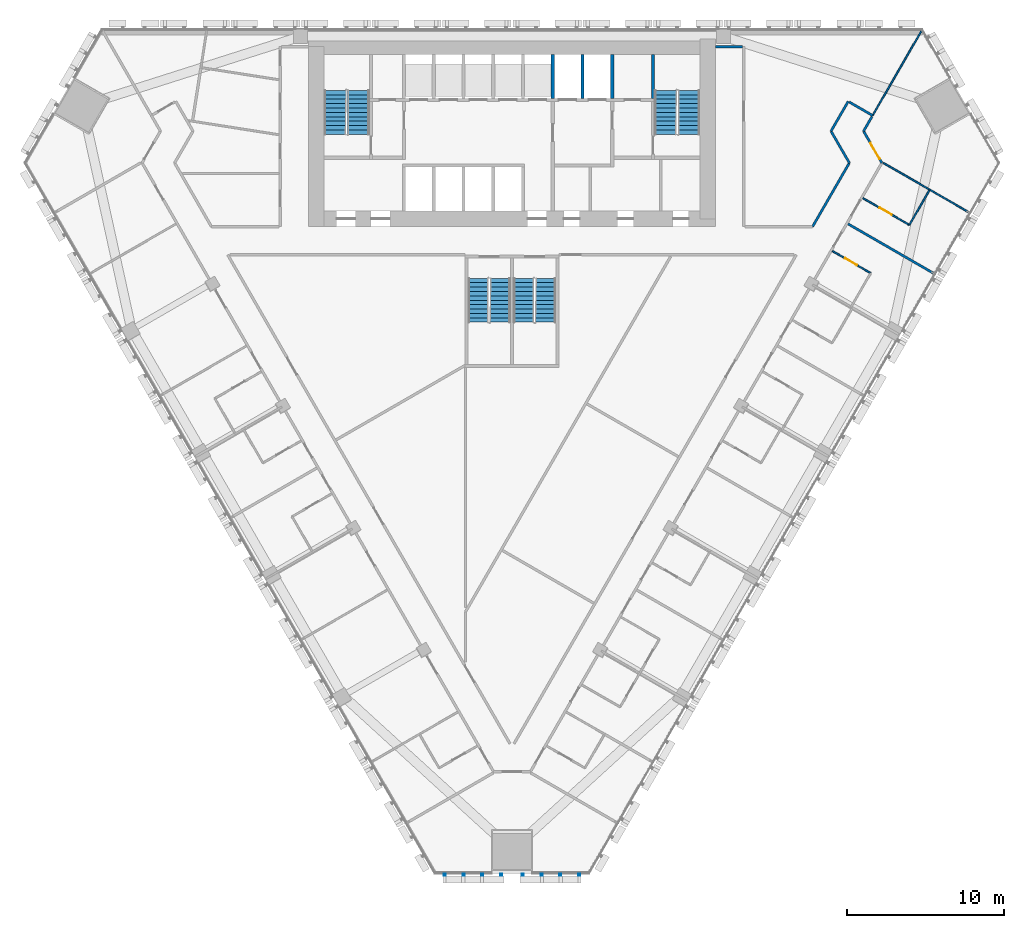
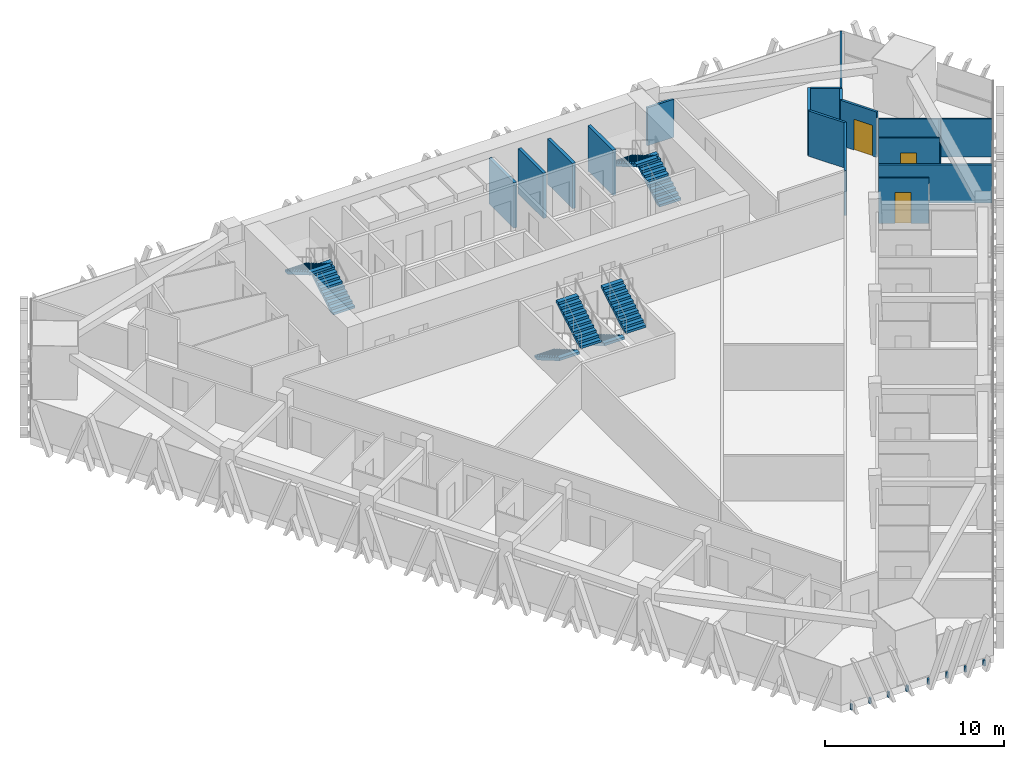
# One storey, part 14 of 18: 17 walls, 8 stair flights, 3 doors, 1 discrete accessory, 3 openings, 4 elements without a shape of their own.
"""IFC4 building model written with IfcOpenShell, lengths in metres."""

from ifc_helpers import new_model, si_unit, direction, frame, frame_2d, origin, place, context, subcontext, project, spatial, polyline, rectangle, outline, extrude, source, transform, mapped, material, layer, layer_set, type_object, element, fill, aggregate, save


model = new_model("IFC4")

# Units and contexts
model_context = context("Model", 3, precision=1e-05, world=origin(), true_north=direction((0.0, 1.0)))
body_context = subcontext(model_context, "Body", "Model", "MODEL_VIEW")
ifc_project = project(units=[si_unit("LENGTHUNIT", "METRE"), si_unit("AREAUNIT", "SQUARE_METRE"), si_unit("VOLUMEUNIT", "CUBIC_METRE"), si_unit("PLANEANGLEUNIT", "RADIAN"), si_unit("MASSUNIT", "GRAM", prefix="KILO")], contexts=[model_context])

# Site, building, storey
site_placement = place(None, origin())
site = spatial("IfcSite", under=ifc_project, at=site_placement, CompositionType="ELEMENT")
building_placement = place(site_placement, origin())
building = spatial("IfcBuilding", under=site, at=building_placement, Name="Altiplano Prism Tower", CompositionType="ELEMENT")
storey_placement = place(building_placement, frame((0.0, 0.0, 34.199951171875)))
storey = spatial("IfcBuildingStorey", under=building, at=storey_placement, Name="L07", CompositionType="ELEMENT", Elevation=34.199951171875)

# Wall, opening, door
ifc_material_1 = material(Name="Plasterboard on steel stud", Category="steel")
ifc_layer_1 = layer(ifc_material_1, 0.10009765625)
ifc_layer_set_1 = layer_set([ifc_layer_1], Name="Plasterboard on steel stud")
wall_type_1 = type_object("IfcWallType", Name="Partition 100 unit", PredefinedType="PARTITIONING", material=ifc_layer_set_1)
wall_1_placement = place(storey_placement, frame((105.46240234375, 90.845947265625, 0.0), z_axis=(0.0, 0.0, 1.0), x_axis=(0.866048868473, -0.499959355765, 0.0)))
wall_1 = element("IfcWall", 1, at=wall_1_placement, inside=storey, type_object=wall_type_1, Name="Partition P02 L07 081", PredefinedType="PARTITIONING", context=body_context, shape_type="SweptSolid", body=[
    extrude(rectangle(XDim=2.824951171875, YDim=0.10009765625, at=frame_2d((1.41259765625, 0.0))), origin(), (0.0, 0.0, 1.0), 3.10009765625),
])
opening_1_placement = place(wall_1_placement, frame((0.925048828125, 0.0, 0.0)))
opening_1 = element("IfcOpeningElement", 2, at=opening_1_placement, cuts=wall_1, Name="Opening D0262", PredefinedType="OPENING", context=body_context, shape_type="SweptSolid", body=[
    extrude(rectangle(XDim=0.89990234375, YDim=2.10009765625, at=frame_2d((0.449951171875, 1.050048828125))), frame((0.0, 0.060546875, 0.0), z_axis=(0.0, -1.0, 0.0), x_axis=(1.0, 0.0, 0.0)), (0.0, 0.0, 1.0), 0.12109375),
])
ifc_material_2 = material(Name="Timber", Category="wood")
door_type_1 = type_object("IfcDoorType", Name="Ensuite door 900 x 2100", OperationType="NOTDEFINED", PredefinedType="NOTDEFINED", material=ifc_material_2)
door_1_placement = place(opening_1_placement, origin())
door_1 = element("IfcDoor", 3, at=door_1_placement, inside=storey, type_object=door_type_1, Name="Door D0262", OperationType="SINGLE_SWING_LEFT", OverallHeight=2.10009765625, OverallWidth=0.89990234375, PredefinedType="NOTDEFINED", context=body_context, shape_type="SweptSolid", body=[
    extrude(rectangle(XDim=0.89990234375, YDim=2.10009765625, at=frame_2d((0.449951171875, 1.050048828125))), frame((0.0, 0.02490234375, 0.0), z_axis=(0.0, -1.0, 0.0), x_axis=(1.0, 0.0, 0.0)), (0.0, 0.0, 1.0), 0.050048828125),
])
fill(opening_1, door_1)

# Wall
wall_2_placement = place(storey_placement, frame((111.653564453125, 94.719482421875, 0.0), z_axis=(0.0, 0.0, 1.0), x_axis=(-0.500020783669, -0.866013403995, 0.0)))
element("IfcWall", 4, at=wall_2_placement, inside=storey, type_object=wall_type_1, Name="Partition P02 L07 084", PredefinedType="PARTITIONING", context=body_context, shape_type="SweptSolid", body=[
    extrude(rectangle(XDim=2.55029296875, YDim=0.10009765625, at=frame_2d((1.275146484375, 0.0))), origin(), (0.0, 0.0, 1.0), 2.60009765625),
])

# Wall, opening, door
wall_3_placement = place(storey_placement, frame((110.37841796875, 92.510986328125, 0.0), z_axis=(0.0, 0.0, 1.0), x_axis=(-0.866032454348, 0.499987787867, 0.0)))
wall_3 = element("IfcWall", 5, at=wall_3_placement, inside=storey, type_object=wall_type_1, Name="Partition P02 L07 085", PredefinedType="PARTITIONING", context=body_context, shape_type="SweptSolid", body=[
    extrude(rectangle(XDim=3.4248046875, YDim=0.10009765625, at=frame_2d((1.71240234375, 0.0))), origin(), (0.0, 0.0, 1.0), 3.10009765625),
])
opening_2_placement = place(wall_3_placement, frame((1.300048828125, 0.0, 0.0)))
opening_2 = element("IfcOpeningElement", 6, at=opening_2_placement, cuts=wall_3, Name="Opening D0264", PredefinedType="OPENING", context=body_context, shape_type="SweptSolid", body=[
    extrude(rectangle(XDim=0.89990234375, YDim=2.10009765625, at=frame_2d((0.449951171875, 1.050048828125))), frame((0.0, 0.060546875, 0.0), z_axis=(0.0, -1.0, 0.0), x_axis=(1.0, 0.0, 0.0)), (0.0, 0.0, 1.0), 0.12109375),
])
door_type_2 = type_object("IfcDoorType", Name="Accessible ensuite door 900 x 2100", OperationType="NOTDEFINED", PredefinedType="NOTDEFINED", material=ifc_material_2)
door_2_placement = place(opening_2_placement, origin())
door_2 = element("IfcDoor", 7, at=door_2_placement, inside=storey, type_object=door_type_2, Name="Door D0264", OperationType="SINGLE_SWING_LEFT", OverallHeight=2.10009765625, OverallWidth=0.89990234375, PredefinedType="NOTDEFINED", context=body_context, shape_type="SweptSolid", body=[
    extrude(rectangle(XDim=0.89990234375, YDim=2.10009765625, at=frame_2d((0.449951171875, 1.050048828125))), frame((0.0, 0.02490234375, 0.0), z_axis=(0.0, -1.0, 0.0), x_axis=(1.0, 0.0, 0.0)), (0.0, 0.0, 1.0), 0.050048828125),
])
fill(opening_2, door_2)

# Walls
ifc_layer_2 = layer(ifc_material_1, 0.10009765625)
ifc_layer_set_2 = layer_set([ifc_layer_2], Name="Plasterboard on steel stud")
wall_type_2 = type_object("IfcWallType", Name="Partition 100 wet", PredefinedType="PARTITIONING", material=ifc_layer_set_2)
wall_4_placement = place(storey_placement, frame((114.20751953125, 93.302490234375, 0.0), z_axis=(0.0, 0.0, 1.0), x_axis=(-0.866014393704, 0.500019069534, 0.0)))
element("IfcWall", 8, at=wall_4_placement, inside=storey, type_object=wall_type_2, Name="Partition P03 L07 086", PredefinedType="PARTITIONING", context=body_context, shape_type="SweptSolid", body=[
    extrude(rectangle(XDim=6.341064453125, YDim=0.10009765625, at=frame_2d((3.17041015625, 0.0))), origin(), (0.0, 0.0, 1.0), 2.60009765625),
])
wall_5_placement = place(storey_placement, frame((111.1494140625, 104.89990234375, 0.0), z_axis=(0.0, 0.0, 1.0), x_axis=(-0.500004896655, -0.866022576681, 0.0)))
element("IfcWall", 9, at=wall_5_placement, inside=storey, type_object=wall_type_2, Name="Partition P03 L07 087", PredefinedType="PARTITIONING", context=body_context, shape_type="SweptSolid", body=[
    extrude(rectangle(XDim=6.2353515625, YDim=0.10009765625, at=frame_2d((3.11767578125, 0.0))), origin(), (0.0, 0.0, 1.0), 2.60009765625),
])

# Wall, opening, door
ifc_layer_3 = layer(ifc_material_1, 0.14990234375)
ifc_layer_set_3 = layer_set([ifc_layer_3], Name="Plasterboard on steel stud")
wall_type_3 = type_object("IfcWallType", Name="Partition 150 corridor", PredefinedType="PARTITIONING", material=ifc_layer_set_3)
wall_6_placement = place(storey_placement, frame((108.62451171875, 96.47314453125, 0.0), z_axis=(0.0, 0.0, 1.0), x_axis=(-0.499987330634, 0.866032718323, 0.0)))
wall_6 = element("IfcWall", 10, at=wall_6_placement, inside=storey, type_object=wall_type_3, Name="Partition P06 L07 013", PredefinedType="PARTITIONING", context=body_context, shape_type="SweptSolid", body=[
    extrude(rectangle(XDim=2.34033203125, YDim=0.14990234375, at=frame_2d((1.170166015625, 0.0))), origin(), (0.0, 0.0, 1.0), 3.10009765625),
])
opening_3_placement = place(wall_6_placement, frame((0.27587890625, 0.0, 0.0)))
opening_3 = element("IfcOpeningElement", 11, at=opening_3_placement, cuts=wall_6, Name="Opening D0265", PredefinedType="OPENING", context=body_context, shape_type="SweptSolid", body=[
    extrude(rectangle(XDim=1.199951171875, YDim=2.10009765625, at=frame_2d((0.60009765625, 1.050048828125))), frame((0.0, 0.08544921875, 0.0), z_axis=(0.0, -1.0, 0.0), x_axis=(1.0, 0.0, 0.0)), (0.0, 0.0, 1.0), 0.1708984375),
])
door_type_3 = type_object("IfcDoorType", Name="Shared room door 1200 x 2100", OperationType="NOTDEFINED", PredefinedType="NOTDEFINED", material=ifc_material_2)
door_3_placement = place(opening_3_placement, origin())
door_3 = element("IfcDoor", 12, at=door_3_placement, inside=storey, type_object=door_type_3, Name="Door D0265", OperationType="SINGLE_SWING_RIGHT", OverallHeight=2.10009765625, OverallWidth=1.199951171875, PredefinedType="NOTDEFINED", context=body_context, shape_type="SweptSolid", body=[
    extrude(rectangle(XDim=1.199951171875, YDim=2.10009765625, at=frame_2d((0.60009765625, 1.050048828125))), frame((0.0, 0.02490234375, 0.0), z_axis=(0.0, -1.0, 0.0), x_axis=(1.0, 0.0, 0.0)), (0.0, 0.0, 1.0), 0.050048828125),
])
fill(opening_3, door_3)

# Walls
wall_7_placement = place(storey_placement, frame((107.454345703125, 98.5, 0.0), z_axis=(0.0, 0.0, 1.0), x_axis=(0.499957341738, 0.866050031143, 0.0)))
element("IfcWall", 13, at=wall_7_placement, inside=storey, type_object=wall_type_3, Name="Partition P06 L07 014", PredefinedType="PARTITIONING", context=body_context, shape_type="SweptSolid", body=[
    extrude(rectangle(XDim=1.07958984375, YDim=0.14990234375, at=frame_2d((0.539794921875, 0.0))), origin(), (0.0, 0.0, 1.0), 3.10009765625),
])
wall_8_placement = place(storey_placement, frame((108.03173828125, 99.5, 0.0), z_axis=(0.0, 0.0, 1.0), x_axis=(-0.866013532718, 0.500020560727, 0.0)))
element("IfcWall", 14, at=wall_8_placement, inside=storey, type_object=wall_type_3, Name="Partition P06 L07 016", PredefinedType="PARTITIONING", context=body_context, shape_type="SweptSolid", body=[
    extrude(rectangle(XDim=1.72509765625, YDim=0.14990234375, at=frame_2d((0.862548828125, 0.0))), origin(), (0.0, 0.0, 1.0), 3.10009765625),
])
wall_9_placement = place(storey_placement, frame((106.47265625, 100.39990234375, 0.0), z_axis=(0.0, 0.0, 1.0), x_axis=(-0.500005024956, -0.866022502605, 0.0)))
element("IfcWall", 15, at=wall_9_placement, inside=storey, type_object=wall_type_3, Name="Partition P06 L07 017", PredefinedType="PARTITIONING", context=body_context, shape_type="SweptSolid", body=[
    extrude(rectangle(XDim=2.19384765625, YDim=0.14990234375, at=frame_2d((1.096923828125, 0.0))), origin(), (0.0, 0.0, 1.0), 3.10009765625),
])
wall_10_placement = place(storey_placement, frame((105.375732421875, 98.5, 0.0), z_axis=(0.0, 0.0, 1.0), x_axis=(0.500065562951, -0.865987547688, 0.0)))
element("IfcWall", 16, at=wall_10_placement, inside=storey, type_object=wall_type_3, Name="Partition P06 L07 018", PredefinedType="PARTITIONING", context=body_context, shape_type="SweptSolid", body=[
    extrude(rectangle(XDim=2.340576171875, YDim=0.14990234375, at=frame_2d((1.17041015625, 0.0))), origin(), (0.0, 0.0, 1.0), 3.10009765625),
])
wall_11_placement = place(storey_placement, frame((106.546142578125, 96.47314453125, 0.0), z_axis=(0.0, 0.0, 1.0), x_axis=(-0.499980071345, -0.866036909293, 0.0)))
element("IfcWall", 17, at=wall_11_placement, inside=storey, type_object=wall_type_3, Name="Partition P06 L07 019", PredefinedType="PARTITIONING", context=body_context, shape_type="SweptSolid", body=[
    extrude(rectangle(XDim=4.703369140625, YDim=0.14990234375, at=frame_2d((2.3515625, 0.0))), origin(), (0.0, 0.0, 1.0), 3.10009765625),
])
wall_12_placement = place(storey_placement, frame((99.72509765625, 103.89990234375, 0.0), z_axis=(0.0, 0.0, 1.0), x_axis=(-1.0, 0.0, 0.0)))
element("IfcWall", 18, at=wall_12_placement, inside=storey, type_object=wall_type_3, Name="Partition P06 L07 022", PredefinedType="PARTITIONING", context=body_context, shape_type="SweptSolid", body=[
    extrude(rectangle(XDim=1.72509765625, YDim=0.14990234375, at=frame_2d((0.862548828125, 0.0))), origin(), (0.0, 0.0, 1.0), 2.60009765625),
])
ifc_layer_4 = layer(ifc_material_1, 0.14990234375)
ifc_layer_set_4 = layer_set([ifc_layer_4], Name="Plasterboard on steel stud")
wall_type_4 = type_object("IfcWallType", Name="Partition 150 party", PredefinedType="PARTITIONING", material=ifc_layer_set_4)
wall_13_placement = place(storey_placement, frame((111.95751953125, 89.405517578125, 0.0), z_axis=(0.0, 0.0, 1.0), x_axis=(-0.866025401434, 0.500000004071, 0.0)))
element("IfcWall", 19, at=wall_13_placement, inside=storey, type_object=wall_type_4, Name="Partition P01 L07 083", PredefinedType="PARTITIONING", context=body_context, shape_type="SweptSolid", body=[
    extrude(rectangle(XDim=6.34521484375, YDim=0.14990234375, at=frame_2d((3.172607421875, 0.0))), origin(), (0.0, 0.0, 1.0), 2.60009765625),
])
ifc_material_3 = material(Name="Concrete C60/75", Category="concrete")
ifc_layer_5 = layer(ifc_material_3, 0.199951171875)
ifc_layer_set_5 = layer_set([ifc_layer_5], Name="Concrete C60/75")
wall_type_5 = type_object("IfcWallType", Name="Shaft wall 200", PredefinedType="SOLIDWALL", material=ifc_layer_set_5)
for number, where, z_axis, x_axis, name in (
    (20, (87.60009765625, 100.60009765625, 0.0), (0.0, 0.0, 1.0), (0.0, 1.0, 0.0), "Shaft wall L07"),
    (21, (89.5, 100.60009765625, 0.0), (0.0, 0.0, 1.0), (0.0, 1.0, 0.0), "Shaft wall L07"),
    (22, (91.39990234375, 100.60009765625, 0.0), (0.0, 0.0, 1.0), (0.0, 1.0, 0.0), "Shaft wall L07"),
):
    element("IfcWall", number, at=place(storey_placement, frame(where, z_axis=z_axis, x_axis=x_axis)), inside=storey, type_object=wall_type_5, Name=name, PredefinedType="SOLIDWALL", context=body_context, shape_type="SweptSolid", body=[
        extrude(rectangle(XDim=2.7998046875, YDim=0.199951171875, at=frame_2d((1.39990234375, 0.0))), origin(), (0.0, 0.0, 1.0), 3.10009765625),
    ])
ifc_layer_6 = layer(ifc_material_3, 0.199951171875)
ifc_layer_set_6 = layer_set([ifc_layer_6], Name="Concrete C60/75")
wall_type_6 = type_object("IfcWallType", Name="Stair wall 200", PredefinedType="SOLIDWALL", material=ifc_layer_set_6)
wall_14_placement = place(storey_placement, frame((94.0, 100.60009765625, 0.0), z_axis=(0.0, 0.0, 1.0), x_axis=(0.0, 1.0, 0.0)))
element("IfcWall", 23, at=wall_14_placement, inside=storey, type_object=wall_type_6, Name="Stair wall L07", PredefinedType="SOLIDWALL", context=body_context, shape_type="SweptSolid", body=[
    extrude(rectangle(XDim=2.7998046875, YDim=0.199951171875, at=frame_2d((1.39990234375, 0.0))), origin(), (0.0, 0.0, 1.0), 3.10009765625),
])

# Stair, stair flights
ifc_material_4 = material(Name="Concrete C40/50", Category="concrete")
stair_type_1 = type_object("IfcStairType", Name="Exit stair 1400", PredefinedType="HALF_TURN_STAIR", material=ifc_material_4)
stair_1_placement = place(storey_placement, origin())
stair_1 = element("IfcStair", 24, at=stair_1_placement, inside=storey, type_object=stair_type_1, Name="L07 Exit Stair 1", PredefinedType="HALF_TURN_STAIR")
stair_flight_type = type_object("IfcStairFlightType", Name="Stair flight concrete 150", PredefinedType="STRAIGHT", material=ifc_material_4)
stair_flight_1_placement = place(storey_placement, frame((75.199951171875, 98.300048828125, 0.0), z_axis=(0.0, 0.0, 1.0), x_axis=(0.0, 1.0, 0.0)))
stair_flight_1 = element("IfcStairFlight", 25, at=stair_flight_1_placement, type_object=stair_flight_type, Name="ST1 flight 1", NumberOfRisers=11, NumberOfTreads=10, PredefinedType="STRAIGHT", RiserHeight=0.163636364, TreadLength=0.28, context=body_context, shape_type="SweptSolid", body=[
    extrude(outline(polyline([(0.0, 0.0), (0.0, 0.16357421875), (0.280029296875, 0.16357421875), (0.280029296875, 0.327392578125), (0.56005859375, 0.327392578125), (0.56005859375, 0.490966796875), (0.840087890625, 0.490966796875), (0.840087890625, 0.654541015625), (1.1201171875, 0.654541015625), (1.1201171875, 0.818115234375), (1.39990234375, 0.818115234375), (1.39990234375, 0.98193359375), (1.679931640625, 0.98193359375), (1.679931640625, 1.1455078125), (1.9599609375, 1.1455078125), (1.9599609375, 1.30908203125), (2.239990234375, 1.30908203125), (2.239990234375, 1.47265625), (2.52001953125, 1.47265625), (2.52001953125, 1.636474609375), (2.800048828125, 1.636474609375), (2.800048828125, 1.800048828125), (2.800048828125, 1.462646484375), (0.297119140625, 0.0), (0.0, 0.0)])), frame((0.0, 0.699951171875, 0.0), z_axis=(0.0, -1.0, 0.0), x_axis=(1.0, 0.0, 0.0)), (0.0, 0.0, 1.0), 1.39990234375),
])
stair_flight_2_placement = place(storey_placement, frame((73.699951171875, 101.10009765625, 1.800048828125), z_axis=(0.0, 0.0, 1.0), x_axis=(0.0, -1.0, 0.0)))
stair_flight_2 = element("IfcStairFlight", 26, at=stair_flight_2_placement, type_object=stair_flight_type, Name="ST1 flight 2", NumberOfRisers=11, NumberOfTreads=10, PredefinedType="STRAIGHT", RiserHeight=0.163636364, TreadLength=0.28, context=body_context, shape_type="SweptSolid", body=[
    extrude(outline(polyline([(0.0, 0.0), (0.0, 0.16357421875), (0.280029296875, 0.16357421875), (0.280029296875, 0.327392578125), (0.56005859375, 0.327392578125), (0.56005859375, 0.490966796875), (0.840087890625, 0.490966796875), (0.840087890625, 0.654541015625), (1.1201171875, 0.654541015625), (1.1201171875, 0.818115234375), (1.39990234375, 0.818115234375), (1.39990234375, 0.98193359375), (1.679931640625, 0.98193359375), (1.679931640625, 1.1455078125), (1.9599609375, 1.1455078125), (1.9599609375, 1.30908203125), (2.239990234375, 1.30908203125), (2.239990234375, 1.47265625), (2.52001953125, 1.47265625), (2.52001953125, 1.636474609375), (2.800048828125, 1.636474609375), (2.800048828125, 1.800048828125), (2.800048828125, 1.462646484375), (0.297119140625, 0.0), (0.0, 0.0)])), frame((0.0, 0.699951171875, 0.0), z_axis=(0.0, -1.0, 0.0), x_axis=(1.0, 0.0, 0.0)), (0.0, 0.0, 1.0), 1.39990234375),
])
aggregate(stair_1, [stair_flight_1, stair_flight_2])

stair_2_placement = place(storey_placement, origin())
stair_2 = element("IfcStair", 27, at=stair_2_placement, inside=storey, type_object=stair_type_1, Name="L07 Exit Stair 2", PredefinedType="HALF_TURN_STAIR")
stair_flight_3_placement = place(storey_placement, frame((96.300048828125, 98.300048828125, 0.0), z_axis=(0.0, 0.0, 1.0), x_axis=(0.0, 1.0, 0.0)))
stair_flight_3 = element("IfcStairFlight", 28, at=stair_flight_3_placement, type_object=stair_flight_type, Name="ST2 flight 1", NumberOfRisers=11, NumberOfTreads=10, PredefinedType="STRAIGHT", RiserHeight=0.163636364, TreadLength=0.28, context=body_context, shape_type="SweptSolid", body=[
    extrude(outline(polyline([(0.0, 0.0), (0.0, 0.16357421875), (0.280029296875, 0.16357421875), (0.280029296875, 0.327392578125), (0.56005859375, 0.327392578125), (0.56005859375, 0.490966796875), (0.840087890625, 0.490966796875), (0.840087890625, 0.654541015625), (1.1201171875, 0.654541015625), (1.1201171875, 0.818115234375), (1.39990234375, 0.818115234375), (1.39990234375, 0.98193359375), (1.679931640625, 0.98193359375), (1.679931640625, 1.1455078125), (1.9599609375, 1.1455078125), (1.9599609375, 1.30908203125), (2.239990234375, 1.30908203125), (2.239990234375, 1.47265625), (2.52001953125, 1.47265625), (2.52001953125, 1.636474609375), (2.800048828125, 1.636474609375), (2.800048828125, 1.800048828125), (2.800048828125, 1.462646484375), (0.297119140625, 0.0), (0.0, 0.0)])), frame((0.0, 0.699951171875, 0.0), z_axis=(0.0, -1.0, 0.0), x_axis=(1.0, 0.0, 0.0)), (0.0, 0.0, 1.0), 1.39990234375),
])
stair_flight_4_placement = place(storey_placement, frame((94.800048828125, 101.10009765625, 1.800048828125), z_axis=(0.0, 0.0, 1.0), x_axis=(0.0, -1.0, 0.0)))
stair_flight_4 = element("IfcStairFlight", 29, at=stair_flight_4_placement, type_object=stair_flight_type, Name="ST2 flight 2", NumberOfRisers=11, NumberOfTreads=10, PredefinedType="STRAIGHT", RiserHeight=0.163636364, TreadLength=0.28, context=body_context, shape_type="SweptSolid", body=[
    extrude(outline(polyline([(0.0, 0.0), (0.0, 0.16357421875), (0.280029296875, 0.16357421875), (0.280029296875, 0.327392578125), (0.56005859375, 0.327392578125), (0.56005859375, 0.490966796875), (0.840087890625, 0.490966796875), (0.840087890625, 0.654541015625), (1.1201171875, 0.654541015625), (1.1201171875, 0.818115234375), (1.39990234375, 0.818115234375), (1.39990234375, 0.98193359375), (1.679931640625, 0.98193359375), (1.679931640625, 1.1455078125), (1.9599609375, 1.1455078125), (1.9599609375, 1.30908203125), (2.239990234375, 1.30908203125), (2.239990234375, 1.47265625), (2.52001953125, 1.47265625), (2.52001953125, 1.636474609375), (2.800048828125, 1.636474609375), (2.800048828125, 1.800048828125), (2.800048828125, 1.462646484375), (0.297119140625, 0.0), (0.0, 0.0)])), frame((0.0, 0.699951171875, 0.0), z_axis=(0.0, -1.0, 0.0), x_axis=(1.0, 0.0, 0.0)), (0.0, 0.0, 1.0), 1.39990234375),
])
aggregate(stair_2, [stair_flight_3, stair_flight_4])

stair_type_2 = type_object("IfcStairType", Name="Exit stair 1300", PredefinedType="HALF_TURN_STAIR", material=ifc_material_4)
stair_3_placement = place(storey_placement, origin())
stair_3 = element("IfcStair", 30, at=stair_3_placement, inside=storey, type_object=stair_type_2, Name="L07 Exit Stair 3A", PredefinedType="HALF_TURN_STAIR")
stair_flight_5_placement = place(storey_placement, frame((82.85009765625, 89.10009765625, 0.0), z_axis=(0.0, 0.0, 1.0), x_axis=(0.0, -1.0, 0.0)))
stair_flight_5 = element("IfcStairFlight", 31, at=stair_flight_5_placement, type_object=stair_flight_type, Name="ST3A flight 1", NumberOfRisers=11, NumberOfTreads=10, PredefinedType="STRAIGHT", RiserHeight=0.163636364, TreadLength=0.28, context=body_context, shape_type="SweptSolid", body=[
    extrude(outline(polyline([(0.0, 0.0), (0.0, 0.16357421875), (0.280029296875, 0.16357421875), (0.280029296875, 0.327392578125), (0.56005859375, 0.327392578125), (0.56005859375, 0.490966796875), (0.840087890625, 0.490966796875), (0.840087890625, 0.654541015625), (1.1201171875, 0.654541015625), (1.1201171875, 0.818115234375), (1.39990234375, 0.818115234375), (1.39990234375, 0.98193359375), (1.679931640625, 0.98193359375), (1.679931640625, 1.1455078125), (1.9599609375, 1.1455078125), (1.9599609375, 1.30908203125), (2.239990234375, 1.30908203125), (2.239990234375, 1.47265625), (2.52001953125, 1.47265625), (2.52001953125, 1.636474609375), (2.800048828125, 1.636474609375), (2.800048828125, 1.800048828125), (2.800048828125, 1.462646484375), (0.297119140625, 0.0), (0.0, 0.0)])), frame((0.0, 0.64990234375, 0.0), z_axis=(0.0, -1.0, 0.0), x_axis=(1.0, 0.0, 0.0)), (0.0, 0.0, 1.0), 1.300048828125),
])
stair_flight_6_placement = place(storey_placement, frame((84.25, 86.300048828125, 1.800048828125), z_axis=(0.0, 0.0, 1.0), x_axis=(0.0, 1.0, 0.0)))
stair_flight_6 = element("IfcStairFlight", 32, at=stair_flight_6_placement, type_object=stair_flight_type, Name="ST3A flight 2", NumberOfRisers=11, NumberOfTreads=10, PredefinedType="STRAIGHT", RiserHeight=0.163636364, TreadLength=0.28, context=body_context, shape_type="SweptSolid", body=[
    extrude(outline(polyline([(0.0, 0.0), (0.0, 0.16357421875), (0.280029296875, 0.16357421875), (0.280029296875, 0.327392578125), (0.56005859375, 0.327392578125), (0.56005859375, 0.490966796875), (0.840087890625, 0.490966796875), (0.840087890625, 0.654541015625), (1.1201171875, 0.654541015625), (1.1201171875, 0.818115234375), (1.39990234375, 0.818115234375), (1.39990234375, 0.98193359375), (1.679931640625, 0.98193359375), (1.679931640625, 1.1455078125), (1.9599609375, 1.1455078125), (1.9599609375, 1.30908203125), (2.239990234375, 1.30908203125), (2.239990234375, 1.47265625), (2.52001953125, 1.47265625), (2.52001953125, 1.636474609375), (2.800048828125, 1.636474609375), (2.800048828125, 1.800048828125), (2.800048828125, 1.462646484375), (0.297119140625, 0.0), (0.0, 0.0)])), frame((0.0, 0.64990234375, 0.0), z_axis=(0.0, -1.0, 0.0), x_axis=(1.0, 0.0, 0.0)), (0.0, 0.0, 1.0), 1.300048828125),
])
aggregate(stair_3, [stair_flight_5, stair_flight_6])

stair_4_placement = place(storey_placement, origin())
stair_4 = element("IfcStair", 33, at=stair_4_placement, inside=storey, type_object=stair_type_2, Name="L07 Exit Stair 3B", PredefinedType="HALF_TURN_STAIR")
stair_flight_7_placement = place(storey_placement, frame((85.75, 89.10009765625, 0.0), z_axis=(0.0, 0.0, 1.0), x_axis=(0.0, -1.0, 0.0)))
stair_flight_7 = element("IfcStairFlight", 34, at=stair_flight_7_placement, type_object=stair_flight_type, Name="ST3B flight 1", NumberOfRisers=11, NumberOfTreads=10, PredefinedType="STRAIGHT", RiserHeight=0.163636364, TreadLength=0.28, context=body_context, shape_type="SweptSolid", body=[
    extrude(outline(polyline([(0.0, 0.0), (0.0, 0.16357421875), (0.280029296875, 0.16357421875), (0.280029296875, 0.327392578125), (0.56005859375, 0.327392578125), (0.56005859375, 0.490966796875), (0.840087890625, 0.490966796875), (0.840087890625, 0.654541015625), (1.1201171875, 0.654541015625), (1.1201171875, 0.818115234375), (1.39990234375, 0.818115234375), (1.39990234375, 0.98193359375), (1.679931640625, 0.98193359375), (1.679931640625, 1.1455078125), (1.9599609375, 1.1455078125), (1.9599609375, 1.30908203125), (2.239990234375, 1.30908203125), (2.239990234375, 1.47265625), (2.52001953125, 1.47265625), (2.52001953125, 1.636474609375), (2.800048828125, 1.636474609375), (2.800048828125, 1.800048828125), (2.800048828125, 1.462646484375), (0.297119140625, 0.0), (0.0, 0.0)])), frame((0.0, 0.64990234375, 0.0), z_axis=(0.0, -1.0, 0.0), x_axis=(1.0, 0.0, 0.0)), (0.0, 0.0, 1.0), 1.300048828125),
])
stair_flight_8_placement = place(storey_placement, frame((87.14990234375, 86.300048828125, 1.800048828125), z_axis=(0.0, 0.0, 1.0), x_axis=(0.0, 1.0, 0.0)))
stair_flight_8 = element("IfcStairFlight", 35, at=stair_flight_8_placement, type_object=stair_flight_type, Name="ST3B flight 2", NumberOfRisers=11, NumberOfTreads=10, PredefinedType="STRAIGHT", RiserHeight=0.163636364, TreadLength=0.28, context=body_context, shape_type="SweptSolid", body=[
    extrude(outline(polyline([(0.0, 0.0), (0.0, 0.16357421875), (0.280029296875, 0.16357421875), (0.280029296875, 0.327392578125), (0.56005859375, 0.327392578125), (0.56005859375, 0.490966796875), (0.840087890625, 0.490966796875), (0.840087890625, 0.654541015625), (1.1201171875, 0.654541015625), (1.1201171875, 0.818115234375), (1.39990234375, 0.818115234375), (1.39990234375, 0.98193359375), (1.679931640625, 0.98193359375), (1.679931640625, 1.1455078125), (1.9599609375, 1.1455078125), (1.9599609375, 1.30908203125), (2.239990234375, 1.30908203125), (2.239990234375, 1.47265625), (2.52001953125, 1.47265625), (2.52001953125, 1.636474609375), (2.800048828125, 1.636474609375), (2.800048828125, 1.800048828125), (2.800048828125, 1.462646484375), (0.297119140625, 0.0), (0.0, 0.0)])), frame((0.0, 0.64990234375, 0.0), z_axis=(0.0, -1.0, 0.0), x_axis=(1.0, 0.0, 0.0)), (0.0, 0.0, 1.0), 1.300048828125),
])
aggregate(stair_4, [stair_flight_7, stair_flight_8])

# Discrete accessory
ifc_material_5 = material(Name="Stainless steel", Category="steel")
discrete_accessory_type = type_object("IfcDiscreteAccessoryType", Name="Stone fin fixing prongs", PredefinedType="USERDEFINED", material=ifc_material_5)
shared_shape = source(origin(), body_context, "Body", "SweptSolid", [
    extrude(outline(polyline([(-3.15087890625, 0.06005859375), (-3.031005859375, 0.06005859375), (-3.031005859375, 0.43994140625), (-3.15087890625, 0.43994140625), (-3.15087890625, 0.06005859375)])), frame((0.0, 0.0, 0.0), z_axis=(0.0, -1.0, 0.0), x_axis=(1.0, 0.0, 0.0)), (0.0, 0.0, 1.0), 0.14990234375),
    extrude(outline(polyline([(-4.35107421875, 0.06005859375), (-4.23095703125, 0.06005859375), (-4.23095703125, 0.43994140625), (-4.35107421875, 0.43994140625), (-4.35107421875, 0.06005859375)])), frame((0.0, 0.0, 0.0), z_axis=(0.0, -1.0, 0.0), x_axis=(1.0, 0.0, 0.0)), (0.0, 0.0, 1.0), 0.14990234375),
    extrude(outline(polyline([(-1.950927734375, 0.06005859375), (-1.8310546875, 0.06005859375), (-1.8310546875, 0.43994140625), (-1.950927734375, 0.43994140625), (-1.950927734375, 0.06005859375)])), frame((0.0, 0.0, 0.0), z_axis=(0.0, -1.0, 0.0), x_axis=(1.0, 0.0, 0.0)), (0.0, 0.0, 1.0), 0.14990234375),
    extrude(outline(polyline([(-0.7509765625, 0.06005859375), (-0.631103515625, 0.06005859375), (-0.631103515625, 0.43994140625), (-0.7509765625, 0.43994140625), (-0.7509765625, 0.06005859375)])), frame((0.0, 0.0, 0.0), z_axis=(0.0, -1.0, 0.0), x_axis=(1.0, 0.0, 0.0)), (0.0, 0.0, 1.0), 0.14990234375),
    extrude(outline(polyline([(0.631103515625, 0.06005859375), (0.7509765625, 0.06005859375), (0.7509765625, 0.43994140625), (0.631103515625, 0.43994140625), (0.631103515625, 0.06005859375)])), frame((0.0, 0.0, 0.0), z_axis=(0.0, -1.0, 0.0), x_axis=(1.0, 0.0, 0.0)), (0.0, 0.0, 1.0), 0.14990234375),
    extrude(outline(polyline([(1.8310546875, 0.06005859375), (1.950927734375, 0.06005859375), (1.950927734375, 0.43994140625), (1.8310546875, 0.43994140625), (1.8310546875, 0.06005859375)])), frame((0.0, 0.0, 0.0), z_axis=(0.0, -1.0, 0.0), x_axis=(1.0, 0.0, 0.0)), (0.0, 0.0, 1.0), 0.14990234375),
    extrude(outline(polyline([(3.031005859375, 0.06005859375), (3.15087890625, 0.06005859375), (3.15087890625, 0.43994140625), (3.031005859375, 0.43994140625), (3.031005859375, 0.06005859375)])), frame((0.0, 0.0, 0.0), z_axis=(0.0, -1.0, 0.0), x_axis=(1.0, 0.0, 0.0)), (0.0, 0.0, 1.0), 0.14990234375),
    extrude(outline(polyline([(4.23095703125, 0.06005859375), (4.35107421875, 0.06005859375), (4.35107421875, 0.43994140625), (4.23095703125, 0.43994140625), (4.23095703125, 0.06005859375)])), frame((0.0, 0.0, 0.0), z_axis=(0.0, -1.0, 0.0), x_axis=(1.0, 0.0, 0.0)), (0.0, 0.0, 1.0), 0.14990234375),
])
discrete_accessory_placement = place(storey_placement, origin())
element("IfcDiscreteAccessory", 36, at=discrete_accessory_placement, inside=storey, type_object=discrete_accessory_type, Name="Fin fixings L07 south chamfer", ObjectType="BRACKET", PredefinedType="USERDEFINED", context=body_context, shape_type="MappedRepresentation", body=[
    mapped(shared_shape, transform((85.0, 51.0810546875, -0.5), x_axis=(1.0, 0.0, 0.0), y_axis=(0.0, 1.0, 0.0), z_axis=(0.0, 0.0, 1.0))),
])

save(model, "model.ifc")
